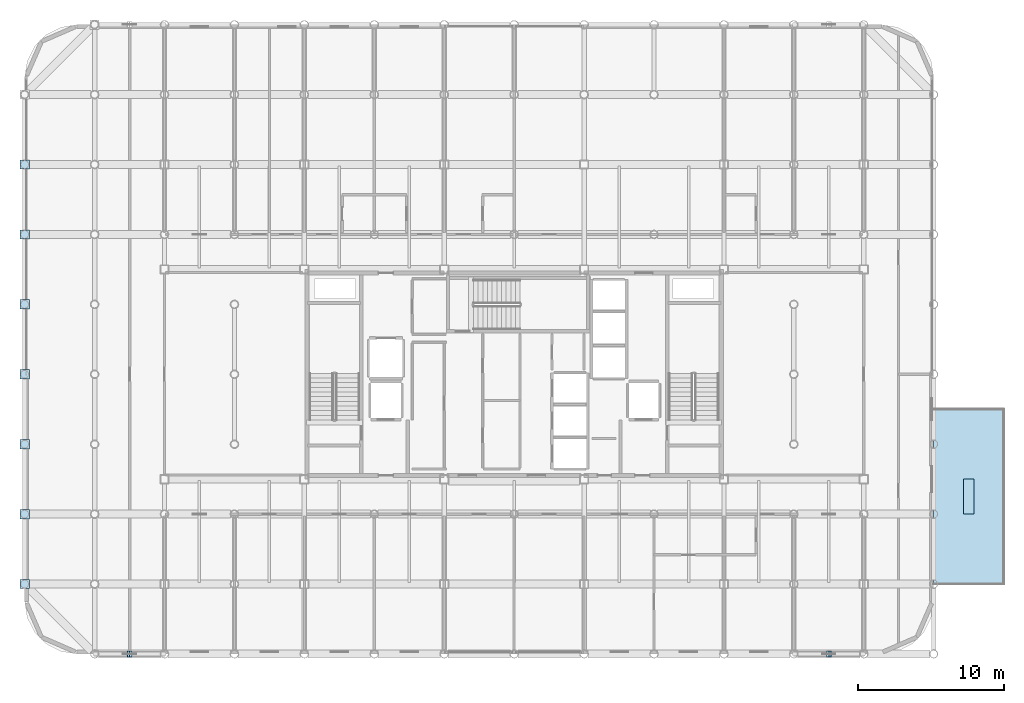
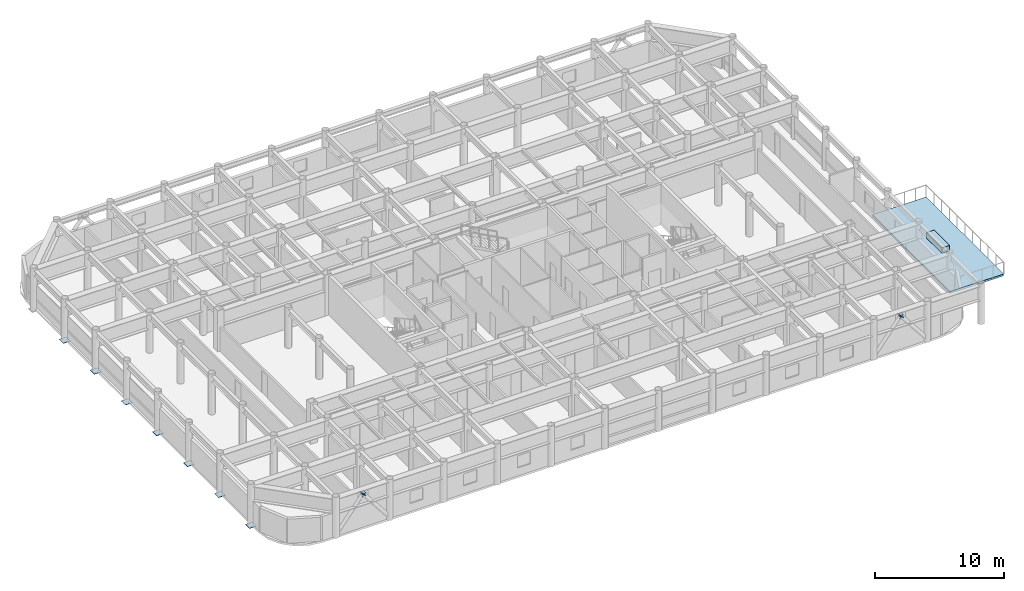
# One storey, part 18 of 25: 12 plates, 1 slab.
"""IFC4 building model written with IfcOpenShell, lengths in metres."""

from ifc_helpers import new_model, si_unit, direction, frame, origin, origin_2d, place, context, subcontext, project, spatial, polyline, rectangle, outline, extrude, material, layer, layer_set, type_object, element, save


model = new_model("IFC4")

# Units and contexts
model_context = context("Model", 3, precision=1e-05, world=origin(), true_north=direction((0.0, 1.0)))
body_context = subcontext(model_context, "Body", "Model", "MODEL_VIEW")
ifc_project = project(units=[si_unit("LENGTHUNIT", "METRE"), si_unit("AREAUNIT", "SQUARE_METRE"), si_unit("VOLUMEUNIT", "CUBIC_METRE"), si_unit("PLANEANGLEUNIT", "RADIAN"), si_unit("MASSUNIT", "GRAM", prefix="KILO")], contexts=[model_context])

# Site, building, storey
site_placement = place(None, origin())
site = spatial("IfcSite", under=ifc_project, at=site_placement, CompositionType="ELEMENT")
building_placement = place(site_placement, origin())
building = spatial("IfcBuilding", under=site, at=building_placement, Name="Kallvorn Hotel Tower", CompositionType="ELEMENT")
storey_placement = place(building_placement, frame((0.0, 0.0, 249.25)))
storey = spatial("IfcBuildingStorey", under=building, at=storey_placement, Name="L62", CompositionType="ELEMENT", Elevation=249.25)

# Plates
ifc_material_1 = material(Name="Structural steel S355JR", Category="steel")
ifc_layer_1 = layer(ifc_material_1, 0.030029296875)
ifc_layer_set_1 = layer_set([ifc_layer_1], Name="PLT_CAP_30")
plate_type_1 = type_object("IfcPlateType", Name="PLT_CAP_30", PredefinedType="SHEET", material=ifc_layer_set_1)
for number, where, z_axis, x_axis, name in (
    (1, (-33.60009765625, -14.39990234375, -0.2099609375), (0.0, 0.0, 1.0), (1.0, 0.0, 0.0), "L62 Hollow Column Base End Cap Plate 0278"),
    (2, (-33.60009765625, -9.60009765625, -0.2099609375), (0.0, 0.0, 1.0), (1.0, 0.0, 0.0), "L62 Hollow Column Base End Cap Plate 0279"),
    (3, (-33.60009765625, -4.800048828125, -0.2099609375), (0.0, 0.0, 1.0), (1.0, 0.0, 0.0), "L62 Hollow Column Base End Cap Plate 0280"),
    (4, (-33.60009765625, 0.0, -0.2099609375), (0.0, 0.0, 1.0), (1.0, 0.0, 0.0), "L62 Hollow Column Base End Cap Plate 0281"),
    (5, (-33.60009765625, 4.800048828125, -0.2099609375), (0.0, 0.0, 1.0), (1.0, 0.0, 0.0), "L62 Hollow Column Base End Cap Plate 0282"),
    (6, (-33.60009765625, 9.60009765625, -0.2099609375), (0.0, 0.0, 1.0), (1.0, 0.0, 0.0), "L62 Hollow Column Base End Cap Plate 0283"),
    (7, (-33.60009765625, 14.39990234375, -0.2099609375), (0.0, 0.0, 1.0), (1.0, 0.0, 0.0), "L62 Hollow Column Base End Cap Plate 0284"),
):
    element("IfcPlate", number, at=place(storey_placement, frame(where, z_axis=z_axis, x_axis=x_axis)), inside=storey, type_object=plate_type_1, Name=name, PredefinedType="SHEET", context=body_context, shape_type="SweptSolid", body=[
        extrude(rectangle(XDim=0.638916015625, YDim=0.638916015625, at=origin_2d()), origin(), (0.0, 0.0, 1.0), 0.030029296875),
    ])
plate_1_placement = place(storey_placement, frame((-26.235595703125, -19.40185546875, 3.09228515625), z_axis=(0.621445895256, 0.0, 0.783457081957), x_axis=(0.0, 1.0, 0.0)))
element("IfcPlate", 8, at=plate_1_placement, inside=storey, type_object=plate_type_1, Name="EXO-L62-S1A End Cap Plate B", PredefinedType="SHEET", context=body_context, shape_type="SweptSolid", body=[
    extrude(outline(polyline([(0.0, 0.0), (0.40380859375, 0.0), (0.40380859375, 0.40385907190922293), (0.0, 0.40385907190922293), (0.0, 0.0)])), origin(), (0.0, 0.0, -1.0), 0.030029296875),
])
plate_2_placement = place(storey_placement, frame((-26.564453125, -18.998046875, 3.09228515625), z_axis=(-0.621151664719, 0.0, 0.783690378541), x_axis=(0.0, -1.0, 0.0)))
element("IfcPlate", 9, at=plate_2_placement, inside=storey, type_object=plate_type_1, Name="EXO-L62-S1B End Cap Plate B", PredefinedType="SHEET", context=body_context, shape_type="SweptSolid", body=[
    extrude(outline(polyline([(0.0, 0.0), (0.40380859375, 0.0), (0.40380859375, 0.4040503740962029), (0.0, 0.4040503740962029), (0.0, 0.0)])), origin(), (0.0, 0.0, -1.0), 0.030029296875),
])
plate_3_placement = place(storey_placement, frame((21.764404296875, -19.40185546875, 3.09228515625), z_axis=(0.621445895256, 0.0, 0.783457081957), x_axis=(0.0, 1.0, 0.0)))
element("IfcPlate", 10, at=plate_3_placement, inside=storey, type_object=plate_type_1, Name="EXO-L62-S2A End Cap Plate B", PredefinedType="SHEET", context=body_context, shape_type="SweptSolid", body=[
    extrude(outline(polyline([(0.0, 0.0), (0.40380859375, 0.0), (0.40380859375, 0.40385907190922293), (0.0, 0.40385907190922293), (0.0, 0.0)])), origin(), (0.0, 0.0, -1.0), 0.030029296875),
])
plate_4_placement = place(storey_placement, frame((21.435546875, -18.998046875, 3.09228515625), z_axis=(-0.621151664719, 0.0, 0.783690378541), x_axis=(0.0, -1.0, 0.0)))
element("IfcPlate", 11, at=plate_4_placement, inside=storey, type_object=plate_type_1, Name="EXO-L62-S2B End Cap Plate B", PredefinedType="SHEET", context=body_context, shape_type="SweptSolid", body=[
    extrude(outline(polyline([(0.0, 0.0), (0.40380859375, 0.0), (0.40380859375, 0.4040503740962029), (0.0, 0.4040503740962029), (0.0, 0.0)])), origin(), (0.0, 0.0, -1.0), 0.030029296875),
])
ifc_material_2 = material(Name="Powder-coated marine-grade aluminium planter trough", Category="aluminium")
ifc_layer_2 = layer(ifc_material_2, 0.0400390625)
ifc_layer_set_2 = layer_set([ifc_layer_2], Name="PLT_PLANTER_TROUGH")
plate_type_2 = type_object("IfcPlateType", Name="PLT_PLANTER_TROUGH", PredefinedType="USERDEFINED", material=ifc_layer_set_2)
plate_5_placement = place(storey_placement, frame((31.199951171875, -8.39990234375, 0.0), z_axis=(0.0, 0.0, 1.0), x_axis=(0.0, 1.0, 0.0)))
element("IfcPlate", 12, at=plate_5_placement, inside=storey, type_object=plate_type_2, Name="TER-L62-E Step-Off Terrace Planter", ObjectType="FACADE PLANTER TROUGH", PredefinedType="USERDEFINED", context=body_context, shape_type="SweptSolid", body=[
    extrude(rectangle(XDim=2.39990234375, YDim=0.699951171875, at=origin_2d()), origin(), (0.0, 0.0, 1.0), 0.5),
])

# Slab
ifc_material_3 = material(Name="Concrete C40/50", Category="concrete")
ifc_layer_3 = layer(ifc_material_3, 0.179931640625)
ifc_layer_set_3 = layer_set([ifc_layer_3], Name="SLB_TERRACE_180")
slab_type = type_object("IfcSlabType", Name="SLB_TERRACE_180", PredefinedType="ROOF", material=ifc_layer_set_3)
slab_placement = place(storey_placement, frame((0.0, 0.0, -0.179931640625)))
element("IfcSlab", 13, at=slab_placement, inside=storey, type_object=slab_type, Name="L62 Jenga Step-Off Garden Terrace TER-L62-E", PredefinedType="ROOF", context=body_context, shape_type="SweptSolid", body=[
    extrude(outline(polyline([(28.800048828125, -14.39990234375), (33.60009765625, -14.39990234375), (33.60009765625, -2.39990234375), (28.800048828125, -2.39990234375), (28.800048828125, -14.39990234375)])), origin(), (0.0, 0.0, 1.0), 0.179931640625),
])

save(model, "model.ifc")
